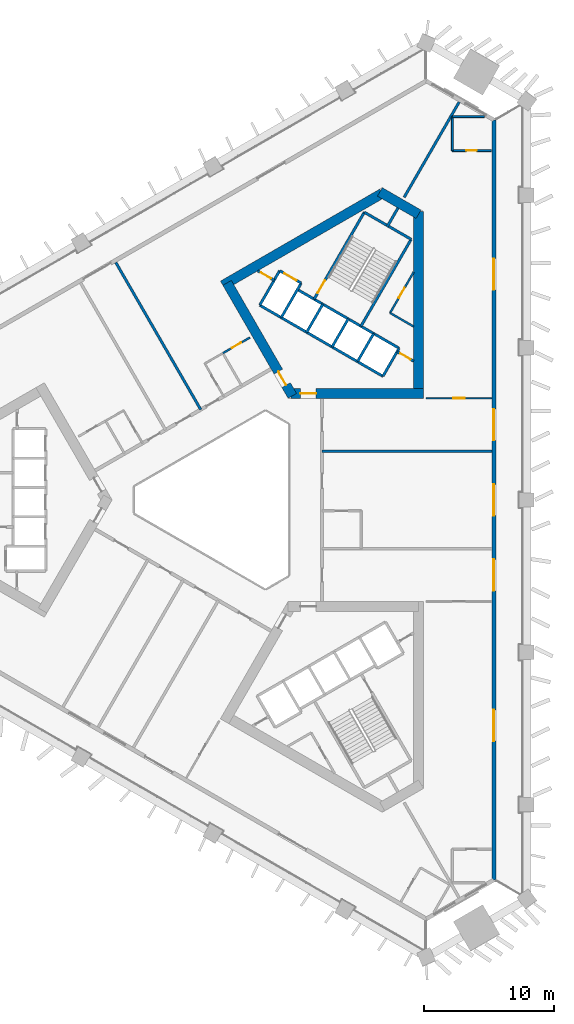
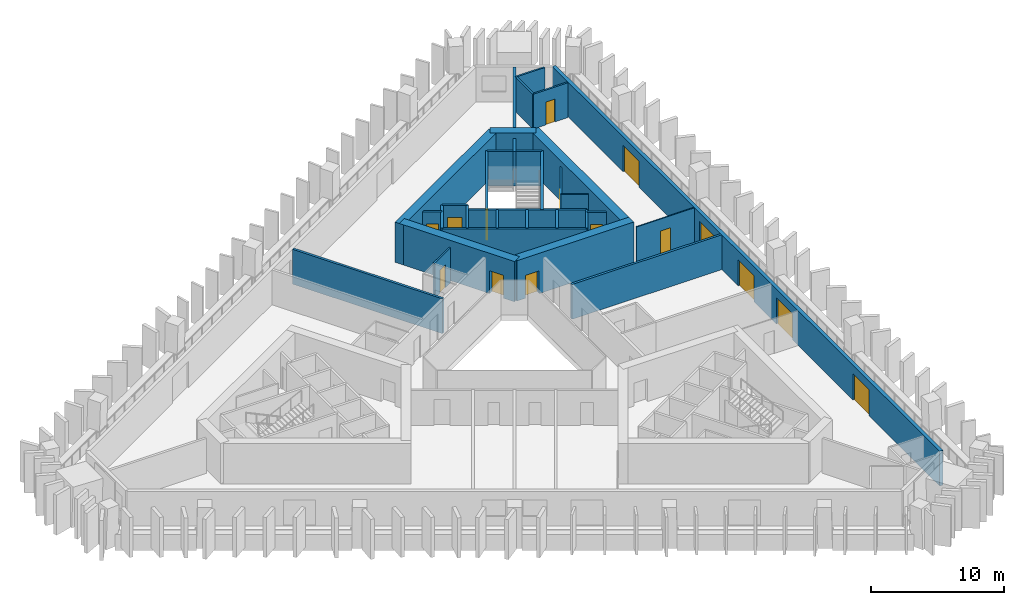
# One storey, part 6 of 11: 31 walls, 15 doors, 15 openings.
"""IFC4 building model written with IfcOpenShell, lengths in metres."""

import ifcopenshell
import ifcopenshell.guid

model = None  # the IFC model being written
_history = None  # IfcOwnerHistory: only IFC2X3 demands one
_inside = {}  # id of a spatial element -> (the spatial element, [elements in it])
_under = {}  # id of a project, library or spatial element -> (it, [spatial elements below it])
_declared = {}  # id of a project -> (the project, [libraries it declares])
_typed = {}  # id of a type object -> (the type object, [elements of that type])
_made_of = {}  # id of a material, layer set ... -> (it, [elements and type objects made of it])


def new_model(schema):
    """Start an empty IFC model of exactly this schema.

    Asked for "IFC4X3", IfcOpenShell would pick the latest addendum, in which some entities
    have other attributes; the version numbers below select the first issue.
    IFC2X3 requires an IfcOwnerHistory on every rooted entity: one is made here for all.
    """
    global model, _history
    if schema == "IFC4X3":
        model = ifcopenshell.file(schema_version=(4, 3, 0, 0))
    else:
        model = ifcopenshell.file(schema=schema)
    _inside.clear()
    _under.clear()
    _declared.clear()
    _typed.clear()
    _made_of.clear()
    _history = None
    if model.schema == "IFC2X3":
        org = make("IfcOrganization", Name="unknown")
        user = make(
            "IfcPersonAndOrganization",
            ThePerson=make("IfcPerson", FamilyName="unknown"),
            TheOrganization=org,
        )
        app = make(
            "IfcApplication",
            ApplicationDeveloper=org,
            Version="unknown",
            ApplicationFullName="unknown",
            ApplicationIdentifier="unknown",
        )
        _history = make(
            "IfcOwnerHistory",
            OwningUser=user,
            OwningApplication=app,
            ChangeAction="ADDED",
            CreationDate=0,
        )
    return model


def make(cls, **values):
    """One entity of the class cls with the attributes given. An attribute that is None is left unset."""
    return model.create_entity(
        cls, **{name: value for name, value in values.items() if value is not None}
    )


def rooted(cls, **values):
    """An entity with a GlobalId (a new one), such as an element, a storey or a relation."""
    return make(cls, GlobalId=ifcopenshell.guid.new(), OwnerHistory=_history, **values)


def si_unit(unit_type, name, prefix=None):
    """IfcSIUnit, for example si_unit("LENGTHUNIT", "METRE", prefix="MILLI")."""
    return make("IfcSIUnit", UnitType=unit_type, Prefix=prefix, Name=name)


def assignment(units):
    """IfcUnitAssignment: the units of a project."""
    return None if units is None else make("IfcUnitAssignment", Units=units)


def point(xyz):
    """IfcCartesianPoint."""
    return None if xyz is None else make("IfcCartesianPoint", Coordinates=xyz)


def direction(xyz):
    """IfcDirection."""
    return None if xyz is None else make("IfcDirection", DirectionRatios=xyz)


def frame(location, z_axis=None, x_axis=None):
    """IfcAxis2Placement3D, a coordinate frame: its origin and axes. An axis left out is left unset."""
    return make(
        "IfcAxis2Placement3D",
        Location=point(location),
        Axis=direction(z_axis),
        RefDirection=direction(x_axis),
    )


def frame_2d(location, x_axis=None):
    """IfcAxis2Placement2D, a coordinate frame in the plane: its origin and x axis."""
    return make(
        "IfcAxis2Placement2D", Location=point(location), RefDirection=direction(x_axis)
    )


def origin():
    """The frame at (0, 0, 0) with its axes left unset."""
    return frame((0.0, 0.0, 0.0))


def place(relative_to, where):
    """IfcLocalPlacement: puts the frame where relative to a parent placement (None: the world)."""
    return make(
        "IfcLocalPlacement", PlacementRelTo=relative_to, RelativePlacement=where
    )


def context(
    kind, dimensions, precision=None, world=None, true_north=None, identifier=None
):
    """IfcGeometricRepresentationContext, for example the 3D "Model" context."""
    return make(
        "IfcGeometricRepresentationContext",
        ContextIdentifier=identifier,
        ContextType=kind,
        CoordinateSpaceDimension=dimensions,
        Precision=precision,
        WorldCoordinateSystem=world,
        TrueNorth=true_north,
    )


def subcontext(parent, identifier, kind, view, scale=None):
    """IfcGeometricRepresentationSubContext, for example "Body" below "Model"."""
    return make(
        "IfcGeometricRepresentationSubContext",
        ContextIdentifier=identifier,
        ContextType=kind,
        ParentContext=parent,
        TargetScale=scale,
        TargetView=view,
    )


def project(units=None, contexts=None):
    """IfcProject with its units and contexts."""
    return rooted(
        "IfcProject",
        Name="project",
        RepresentationContexts=contexts,
        UnitsInContext=assignment(units),
    )


def spatial(cls, under=None, at=None, **own):
    """A site, building, storey or space (cls), placed at a placement, below another one or the project."""
    s = rooted(cls, ObjectPlacement=at, **own)
    if under is not None:
        _under.setdefault(under.id(), (under, []))[1].append(s)
    return s


def profile(cls, at=None, kind="AREA", **sizes):
    """A parametric profile (cls). Its sizes go by their IFC names, for example OverallWidth=200.0."""
    return make(cls, ProfileType=kind, Position=at, **sizes)


def rectangle(**sizes):
    """IfcRectangleProfileDef."""
    return profile("IfcRectangleProfileDef", **sizes)


def extrude(swept, where, along, depth):
    """IfcExtrudedAreaSolid: the profile swept, set in the frame where, extruded along a direction by depth."""
    return make(
        "IfcExtrudedAreaSolid",
        SweptArea=swept,
        Position=where,
        ExtrudedDirection=direction(along),
        Depth=depth,
    )


def shape(context_of_items, identifier, shape_type, items):
    """IfcShapeRepresentation: the items that make up one representation, for example the "Body"."""
    return make(
        "IfcShapeRepresentation",
        ContextOfItems=context_of_items,
        RepresentationIdentifier=identifier,
        RepresentationType=shape_type,
        Items=items,
    )


def material(Name=None, Category=None):
    """IfcMaterial."""
    return make("IfcMaterial", Name=Name, Category=Category)


def layer(
    of_material, thickness, ventilated=None, Name=None, Category=None, Priority=None
):
    """IfcMaterialLayer: one layer of a wall or slab, of a material (None: an air gap)."""
    return make(
        "IfcMaterialLayer",
        Material=of_material,
        LayerThickness=thickness,
        IsVentilated=ventilated,
        Name=Name,
        Category=Category,
        Priority=Priority,
    )


def layer_set(layers, Name=None):
    """IfcMaterialLayerSet."""
    return make("IfcMaterialLayerSet", MaterialLayers=layers, LayerSetName=Name)


def made_of(thing, what):
    """Note that an element or type object is made of a material, layer set ...; save() writes the relation."""
    if what is not None:
        _made_of.setdefault(what.id(), (what, []))[1].append(thing)
    return thing


def type_object(cls, material=None, **own):
    """A type object (cls), such as IfcWallType, which elements share."""
    return made_of(rooted(cls, **own), material)


def element(
    cls,
    number,
    at=None,
    inside=None,
    cuts=None,
    type_object=None,
    material=None,
    context=None,
    identifier="Body",
    shape_type=None,
    held_by="IfcProductDefinitionShape",
    body=None,
    shapes=None,
    **own,
):
    """One element of the class cls, such as IfcWall. Its Tag is "e" and its number.

    at: its placement. inside: the storey or other place that contains it. cuts: it is an
    opening in that element (IfcRelVoidsElement). A single representation is given by context,
    identifier, shape_type and body (its items); several are given by shapes. held_by: the class
    of the entity that holds the representations. save() writes the other relations.
    """
    e = rooted(cls, Tag="e%d" % number, ObjectPlacement=at, **own)
    if body is not None:
        shapes = [shape(context, identifier, shape_type, body)]
    if shapes is not None:
        e.Representation = make(held_by, Representations=shapes)
    if inside is not None:
        _inside.setdefault(inside.id(), (inside, []))[1].append(e)
    if cuts is not None:
        rooted(
            "IfcRelVoidsElement", RelatingBuildingElement=cuts, RelatedOpeningElement=e
        )
    if type_object is not None:
        _typed.setdefault(type_object.id(), (type_object, []))[1].append(e)
    return made_of(e, material)


def fill(opening, filler):
    """IfcRelFillsElement: the door or window that sits in an opening."""
    return rooted(
        "IfcRelFillsElement",
        RelatingOpeningElement=opening,
        RelatedBuildingElement=filler,
    )


def aggregate(whole, parts):
    """IfcRelAggregates: a whole, such as a stair, and the parts it consists of."""
    return rooted("IfcRelAggregates", RelatingObject=whole, RelatedObjects=parts)


def save(model, path):
    """Write the relations noted so far, then the file.

    IfcRelAggregates (storeys below a building ...), IfcRelContainedInSpatialStructure (elements
    in a storey), IfcRelDefinesByType, IfcRelAssociatesMaterial and IfcRelDeclares: one each for
    every whole, place, type object, material and project.
    """
    for whole, parts in _under.values():
        aggregate(whole, parts)
    for where, things in _inside.values():
        rooted(
            "IfcRelContainedInSpatialStructure",
            RelatedElements=things,
            RelatingStructure=where,
        )
    for kind, things in _typed.values():
        rooted("IfcRelDefinesByType", RelatedObjects=things, RelatingType=kind)
    for what, things in _made_of.values():
        rooted("IfcRelAssociatesMaterial", RelatedObjects=things, RelatingMaterial=what)
    for by, libraries in _declared.values():
        rooted("IfcRelDeclares", RelatingContext=by, RelatedDefinitions=libraries)
    model.write(path)


model = new_model("IFC4")

# Units and contexts
model_context = context("Model", 3, precision=1e-05, world=origin(), true_north=direction((0.0, 1.0)))
body_context = subcontext(model_context, "Body", "Model", "MODEL_VIEW")
ifc_project = project(units=[si_unit("LENGTHUNIT", "METRE"), si_unit("AREAUNIT", "SQUARE_METRE"), si_unit("VOLUMEUNIT", "CUBIC_METRE"), si_unit("PLANEANGLEUNIT", "RADIAN"), si_unit("MASSUNIT", "GRAM", prefix="KILO")], contexts=[model_context])

# Site, building, storey
site_placement = place(None, origin())
site = spatial("IfcSite", under=ifc_project, at=site_placement, CompositionType="ELEMENT")
building_placement = place(site_placement, origin())
building = spatial("IfcBuilding", under=site, at=building_placement, Name="Jabali Bay Hotel Tower and Convention Centre", CompositionType="ELEMENT")
storey_placement = place(building_placement, frame((0.0, 0.0, 90.60009765625)))
storey = spatial("IfcBuildingStorey", under=building, at=storey_placement, Name="L21", CompositionType="ELEMENT", Elevation=90.60009765625)

# Wall
ifc_material_1 = material(Name="Concrete C40", Category="concrete")
ifc_layer_1 = layer(ifc_material_1, 0.199951171875)
ifc_layer_set_1 = layer_set([ifc_layer_1], Name="Concrete C40")
wall_type_1 = type_object("IfcWallType", Name="Core partition wall 200", PredefinedType="PARTITIONING", material=ifc_layer_set_1)
wall_1_placement = place(storey_placement, frame((87.090087890625, 100.9404296875, 0.0), z_axis=(0.0, 0.0, 1.0), x_axis=(0.499937194881, 0.866061661301, 0.0)))
element("IfcWall", 1, at=wall_1_placement, inside=storey, type_object=wall_type_1, Name="Core wall 1.5 L21", PredefinedType="PARTITIONING", context=body_context, shape_type="SweptSolid", body=[
    extrude(rectangle(XDim=1.673095703125, YDim=0.199951171875, at=frame_2d((0.83642578125, 0.0))), origin(), (0.0, 0.0, 1.0), 3.199951171875),
])

# Wall, opening, door
wall_2_placement = place(storey_placement, frame((89.130126953125, 90.640625, 0.0), z_axis=(0.0, 0.0, 1.0), x_axis=(-0.866094119867, 0.499880961361, 0.0)))
wall_2 = element("IfcWall", 2, at=wall_2_placement, inside=storey, type_object=wall_type_1, Name="Core wall 1.11 L21", PredefinedType="PARTITIONING", context=body_context, shape_type="SweptSolid", body=[
    extrude(rectangle(XDim=1.466552734375, YDim=0.199951171875, at=frame_2d((0.7333984375, 0.0))), origin(), (0.0, 0.0, 1.0), 3.199951171875),
])
opening_1_placement = place(wall_2_placement, frame((0.283447265625, 0.0, 0.0)))
opening_1 = element("IfcOpeningElement", 3, at=opening_1_placement, cuts=wall_2, Name="Opening D501", PredefinedType="OPENING", context=body_context, shape_type="SweptSolid", body=[
    extrude(rectangle(XDim=0.89990234375, YDim=2.10009765625, at=frame_2d((0.449951171875, 1.050048828125))), frame((0.0, 0.1103515625, 0.0), z_axis=(0.0, -1.0, 0.0), x_axis=(1.0, 0.0, 0.0)), (0.0, 0.0, 1.0), 0.220947265625),
])
ifc_material_2 = material(Name="Fire-rated steel door", Category="steel")
door_type_1 = type_object("IfcDoorType", Name="Vestibule fire door 900 x 2100", OperationType="NOTDEFINED", PredefinedType="NOTDEFINED", material=ifc_material_2)
door_1_placement = place(opening_1_placement, origin())
door_1 = element("IfcDoor", 4, at=door_1_placement, inside=storey, type_object=door_type_1, Name="Vestibule fire door D501", OperationType="SINGLE_SWING_LEFT", OverallHeight=2.10009765625, OverallWidth=0.89990234375, PredefinedType="NOTDEFINED", context=body_context, shape_type="SweptSolid", body=[
    extrude(rectangle(XDim=0.89990234375, YDim=2.10009765625, at=frame_2d((0.449951171875, 1.050048828125))), frame((0.0, 0.02490234375, 0.0), z_axis=(0.0, -1.0, 0.0), x_axis=(1.0, 0.0, 0.0)), (0.0, 0.0, 1.0), 0.050048828125),
])
fill(opening_1, door_1)

wall_3_placement = place(storey_placement, frame((78.43017578125, 96.84130859375, 0.0), z_axis=(0.0, 0.0, 1.0), x_axis=(-0.866045896294, 0.499964504253, 0.0)))
wall_3 = element("IfcWall", 5, at=wall_3_placement, inside=storey, type_object=wall_type_1, Name="Core wall 1.12 L21", PredefinedType="PARTITIONING", context=body_context, shape_type="SweptSolid", body=[
    extrude(rectangle(XDim=1.455078125, YDim=0.199951171875, at=frame_2d((0.7275390625, 0.0))), origin(), (0.0, 0.0, 1.0), 3.199951171875),
])
opening_2_placement = place(wall_3_placement, frame((0.277587890625, 0.0, 0.0)))
opening_2 = element("IfcOpeningElement", 6, at=opening_2_placement, cuts=wall_3, Name="Opening D500", PredefinedType="OPENING", context=body_context, shape_type="SweptSolid", body=[
    extrude(rectangle(XDim=0.89990234375, YDim=2.10009765625, at=frame_2d((0.449951171875, 1.050048828125))), frame((0.0, 0.1103515625, 0.0), z_axis=(0.0, -1.0, 0.0), x_axis=(1.0, 0.0, 0.0)), (0.0, 0.0, 1.0), 0.220947265625),
])
door_2_placement = place(opening_2_placement, origin())
door_2 = element("IfcDoor", 7, at=door_2_placement, inside=storey, type_object=door_type_1, Name="Vestibule fire door D500", OperationType="SINGLE_SWING_LEFT", OverallHeight=2.10009765625, OverallWidth=0.89990234375, PredefinedType="NOTDEFINED", context=body_context, shape_type="SweptSolid", body=[
    extrude(rectangle(XDim=0.89990234375, YDim=2.10009765625, at=frame_2d((0.449951171875, 1.050048828125))), frame((0.0, 0.02490234375, 0.0), z_axis=(0.0, -1.0, 0.0), x_axis=(1.0, 0.0, 0.0)), (0.0, 0.0, 1.0), 0.050048828125),
])
fill(opening_2, door_2)

ifc_material_3 = material(Name="Fire-rated board partition")
ifc_layer_2 = layer(ifc_material_3, 0.14990234375)
ifc_layer_set_2 = layer_set([ifc_layer_2], Name="Fire-rated board partition")
wall_type_2 = type_object("IfcWallType", Name="Core room partition 150", PredefinedType="PARTITIONING", material=ifc_layer_set_2)
wall_4_placement = place(storey_placement, frame((87.321044921875, 94.3408203125, 0.0), z_axis=(0.0, 0.0, 1.0), x_axis=(0.499993116331, 0.866029378036, 0.0)))
wall_4 = element("IfcWall", 8, at=wall_4_placement, inside=storey, type_object=wall_type_2, Name="Core wall 1.1 L21", PredefinedType="PARTITIONING", context=body_context, shape_type="SweptSolid", body=[
    extrude(rectangle(XDim=3.61767578125, YDim=0.14990234375, at=frame_2d((1.808837890625, 0.0))), origin(), (0.0, 0.0, 1.0), 3.199951171875),
])
opening_3_placement = place(wall_4_placement, frame((1.33154296875, 0.0, 0.0)))
opening_3 = element("IfcOpeningElement", 9, at=opening_3_placement, cuts=wall_4, Name="Opening D503", PredefinedType="OPENING", context=body_context, shape_type="SweptSolid", body=[
    extrude(rectangle(XDim=0.89990234375, YDim=2.10009765625, at=frame_2d((0.449951171875, 1.050048828125))), frame((0.0, 0.08544921875, 0.0), z_axis=(0.0, -1.0, 0.0), x_axis=(1.0, 0.0, 0.0)), (0.0, 0.0, 1.0), 0.1708984375),
])
door_type_2 = type_object("IfcDoorType", Name="Core room door 900 x 2100", OperationType="NOTDEFINED", PredefinedType="NOTDEFINED", material=ifc_material_2)
door_3_placement = place(opening_3_placement, origin())
door_3 = element("IfcDoor", 10, at=door_3_placement, inside=storey, type_object=door_type_2, Name="Core room door D503", OperationType="SINGLE_SWING_LEFT", OverallHeight=2.10009765625, OverallWidth=0.89990234375, PredefinedType="NOTDEFINED", context=body_context, shape_type="SweptSolid", body=[
    extrude(rectangle(XDim=0.89990234375, YDim=2.10009765625, at=frame_2d((0.449951171875, 1.050048828125))), frame((0.0, 0.02490234375, 0.0), z_axis=(0.0, -1.0, 0.0), x_axis=(1.0, 0.0, 0.0)), (0.0, 0.0, 1.0), 0.050048828125),
])
fill(opening_3, door_3)

# Walls
wall_5_placement = place(storey_placement, frame((89.130126953125, 93.29638671875, 0.0), z_axis=(0.0, 0.0, 1.0), x_axis=(-0.866033778982, 0.499985493453, 0.0)))
element("IfcWall", 11, at=wall_5_placement, inside=storey, type_object=wall_type_2, Name="Core wall 1.15 L21", PredefinedType="PARTITIONING", context=body_context, shape_type="SweptSolid", body=[
    extrude(rectangle(XDim=2.0888671875, YDim=0.14990234375, at=frame_2d((1.04443359375, 0.0))), origin(), (0.0, 0.0, 1.0), 3.199951171875),
])
ifc_layer_3 = layer(ifc_material_1, 0.199951171875)
ifc_layer_set_3 = layer_set([ifc_layer_3], Name="Concrete C40")
wall_type_3 = type_object("IfcWallType", Name="Core stair wall 200", PredefinedType="SOLIDWALL", material=ifc_layer_set_3)
for number, where, z_axis, x_axis, name in (
    (12, (86.769775390625, 89.48583984375, 0.0), (0.0, 0.0, 1.0), (0.499961042966, 0.86604789447, 0.0), "Core wall 1.0 L21"),
    (13, (84.8212890625, 90.61083984375, 0.0), (0.0, 0.0, 1.0), (0.499961042966, 0.86604789447, 0.0), "Core wall 1.2 L21"),
):
    element("IfcWall", number, at=place(storey_placement, frame(where, z_axis=z_axis, x_axis=x_axis)), inside=storey, type_object=wall_type_3, Name=name, PredefinedType="SOLIDWALL", context=body_context, shape_type="SweptSolid", body=[
        extrude(rectangle(XDim=2.480224609375, YDim=0.199951171875, at=frame_2d((1.240234375, 0.0))), origin(), (0.0, 0.0, 1.0), 3.199951171875),
    ])
wall_6_placement = place(storey_placement, frame((85.0869140625, 93.3212890625, 0.0), z_axis=(0.0, 0.0, 1.0), x_axis=(0.500019787375, 0.866013979237, 0.0)))
element("IfcWall", 14, at=wall_6_placement, inside=storey, type_object=wall_type_3, Name="Core wall 1.3 L21", PredefinedType="SOLIDWALL", context=body_context, shape_type="SweptSolid", body=[
    extrude(rectangle(XDim=7.699951171875, YDim=0.199951171875, at=frame_2d((3.85009765625, 0.0))), origin(), (0.0, 0.0, 1.0), 3.199951171875),
])
for number, where, z_axis, x_axis, name in (
    (15, (82.872802734375, 91.73583984375, 0.0), (0.0, 0.0, 1.0), (0.499961042966, 0.86604789447, 0.0), "Core wall 1.4 L21"),
    (16, (80.924072265625, 92.86083984375, 0.0), (0.0, 0.0, 1.0), (0.499961042966, 0.86604789447, 0.0), "Core wall 1.6 L21"),
):
    element("IfcWall", number, at=place(storey_placement, frame(where, z_axis=z_axis, x_axis=x_axis)), inside=storey, type_object=wall_type_3, Name=name, PredefinedType="SOLIDWALL", context=body_context, shape_type="SweptSolid", body=[
        extrude(rectangle(XDim=2.480224609375, YDim=0.199951171875, at=frame_2d((1.240234375, 0.0))), origin(), (0.0, 0.0, 1.0), 3.199951171875),
    ])

# Wall, opening, door
wall_7_placement = place(storey_placement, frame((81.492919921875, 95.396240234375, 0.0), z_axis=(0.0, 0.0, 1.0), x_axis=(0.500006057782, 0.866021906294, 0.0)))
wall_7 = element("IfcWall", 17, at=wall_7_placement, inside=storey, type_object=wall_type_3, Name="Core wall 1.7 L21", PredefinedType="SOLIDWALL", context=body_context, shape_type="SweptSolid", body=[
    extrude(rectangle(XDim=7.7001953125, YDim=0.199951171875, at=frame_2d((3.85009765625, 0.0))), origin(), (0.0, 0.0, 1.0), 3.199951171875),
])
opening_4_placement = place(wall_7_placement, frame((0.550048828125, 0.0, 0.0)))
opening_4 = element("IfcOpeningElement", 18, at=opening_4_placement, cuts=wall_7, Name="Opening D502", PredefinedType="OPENING", context=body_context, shape_type="SweptSolid", body=[
    extrude(rectangle(XDim=1.10009765625, YDim=2.10009765625, at=frame_2d((0.550048828125, 1.050048828125))), frame((0.0, 0.1103515625, 0.0), z_axis=(0.0, -1.0, 0.0), x_axis=(1.0, 0.0, 0.0)), (0.0, 0.0, 1.0), 0.220947265625),
])
door_type_3 = type_object("IfcDoorType", Name="Stair fire door 1100 x 2100", OperationType="NOTDEFINED", PredefinedType="NOTDEFINED", material=ifc_material_2)
door_4_placement = place(opening_4_placement, origin())
door_4 = element("IfcDoor", 19, at=door_4_placement, inside=storey, type_object=door_type_3, Name="Stair fire door D502", OperationType="SINGLE_SWING_RIGHT", OverallHeight=2.10009765625, OverallWidth=1.10009765625, PredefinedType="NOTDEFINED", context=body_context, shape_type="SweptSolid", body=[
    extrude(rectangle(XDim=1.10009765625, YDim=2.10009765625, at=frame_2d((0.550048828125, 1.050048828125))), frame((0.0, 0.02490234375, 0.0), z_axis=(0.0, -1.0, 0.0), x_axis=(1.0, 0.0, 0.0)), (0.0, 0.0, 1.0), 0.050048828125),
])
fill(opening_4, door_4)

# Walls
for number, where, z_axis, x_axis, name in (
    (20, (78.9755859375, 93.98583984375, 0.0), (0.0, 0.0, 1.0), (0.499944174705, 0.866057632134, 0.0), "Core wall 1.8 L21"),
    (21, (77.330078125, 94.93603515625, 0.0), (0.0, 0.0, 1.0), (0.500038867431, 0.8660029625, 0.0), "Core wall 1.9 L21"),
):
    element("IfcWall", number, at=place(storey_placement, frame(where, z_axis=z_axis, x_axis=x_axis)), inside=storey, type_object=wall_type_3, Name=name, PredefinedType="SOLIDWALL", context=body_context, shape_type="SweptSolid", body=[
        extrude(rectangle(XDim=3.050048828125, YDim=0.199951171875, at=frame_2d((1.52490234375, 0.0))), origin(), (0.0, 0.0, 1.0), 3.199951171875),
    ])
wall_8_placement = place(storey_placement, frame((86.769775390625, 89.48583984375, 0.0), z_axis=(0.0, 0.0, 1.0), x_axis=(-0.86601811187, 0.500012629753, 0.0)))
element("IfcWall", 22, at=wall_8_placement, inside=storey, type_object=wall_type_3, Name="Core wall 1.10 L21", PredefinedType="SOLIDWALL", context=body_context, shape_type="SweptSolid", body=[
    extrude(rectangle(XDim=10.900146484375, YDim=0.199951171875, at=frame_2d((5.4501953125, 0.0))), origin(), (0.0, 0.0, 1.0), 3.199951171875),
])
wall_9_placement = place(storey_placement, frame((88.009765625, 91.6337890625, 0.0), z_axis=(0.0, 0.0, 1.0), x_axis=(-0.866024315419, 0.5000018851, 0.0)))
element("IfcWall", 23, at=wall_9_placement, inside=storey, type_object=wall_type_3, Name="Core wall 1.13 L21", PredefinedType="SOLIDWALL", context=body_context, shape_type="SweptSolid", body=[
    extrude(rectangle(XDim=9.0, YDim=0.199951171875, at=frame_2d((4.5, 0.0))), origin(), (0.0, 0.0, 1.0), 3.199951171875),
])

# Wall, opening, door
wall_10_placement = place(storey_placement, frame((80.50048828125, 96.62744140625, 0.0), z_axis=(0.0, 0.0, 1.0), x_axis=(-0.86601224135, 0.500022797313, 0.0)))
wall_10 = element("IfcWall", 24, at=wall_10_placement, inside=storey, type_object=wall_type_3, Name="Core wall 1.14 L21", PredefinedType="SOLIDWALL", context=body_context, shape_type="SweptSolid", body=[
    extrude(rectangle(XDim=1.89990234375, YDim=0.199951171875, at=frame_2d((0.949951171875, 0.0))), origin(), (0.0, 0.0, 1.0), 3.199951171875),
])
opening_5_placement = place(wall_10_placement, frame((0.39990234375, 0.0, 0.0)))
opening_5 = element("IfcOpeningElement", 25, at=opening_5_placement, cuts=wall_10, Name="Opening LD10-L21", PredefinedType="OPENING", context=body_context, shape_type="SweptSolid", body=[
    extrude(rectangle(XDim=1.10009765625, YDim=2.10009765625, at=frame_2d((0.550048828125, 1.050048828125))), frame((0.0, 0.1103515625, 0.0), z_axis=(0.0, -1.0, 0.0), x_axis=(1.0, 0.0, 0.0)), (0.0, 0.0, 1.0), 0.220947265625),
])
ifc_material_4 = material(Name="Stainless steel landing door", Category="steel")
door_type_4 = type_object("IfcDoorType", Name="Landing door 1100 x 2100", OperationType="NOTDEFINED", PredefinedType="NOTDEFINED", material=ifc_material_4)
door_5_placement = place(opening_5_placement, origin())
door_5 = element("IfcDoor", 26, at=door_5_placement, inside=storey, type_object=door_type_4, Name="Landing doors LD10-L21", OperationType="SLIDING_TO_RIGHT", OverallHeight=2.10009765625, OverallWidth=1.10009765625, PredefinedType="NOTDEFINED", context=body_context, shape_type="SweptSolid", body=[
    extrude(rectangle(XDim=1.10009765625, YDim=2.10009765625, at=frame_2d((0.550048828125, 1.050048828125))), frame((0.0, 0.02490234375, 0.0), z_axis=(0.0, -1.0, 0.0), x_axis=(1.0, 0.0, 0.0)), (0.0, 0.0, 1.0), 0.050048828125),
])
fill(opening_5, door_5)

# Wall
wall_11_placement = place(storey_placement, frame((88.93701171875, 99.989501953125, 0.0), z_axis=(0.0, 0.0, 1.0), x_axis=(-0.866004344652, 0.500036473714, 0.0)))
element("IfcWall", 27, at=wall_11_placement, inside=storey, type_object=wall_type_3, Name="Core wall 1.16 L21", PredefinedType="SOLIDWALL", context=body_context, shape_type="SweptSolid", body=[
    extrude(rectangle(XDim=4.150146484375, YDim=0.199951171875, at=frame_2d((2.0751953125, 0.0))), origin(), (0.0, 0.0, 1.0), 3.199951171875),
])

# Wall, opening, door
ifc_material_5 = material(Name="Concrete C60", Category="concrete")
ifc_layer_4 = layer(ifc_material_5, 0.75)
ifc_layer_set_4 = layer_set([ifc_layer_4], Name="Concrete C60")
wall_type_4 = type_object("IfcWallType", Name="Core wall 750", PredefinedType="SHEAR", material=ifc_layer_set_4)
wall_12_placement = place(storey_placement, frame((79.716552734375, 88.169189453125, 0.0), z_axis=(0.0, 0.0, 1.0), x_axis=(1.0, 0.0, 0.0)))
wall_12 = element("IfcWall", 28, at=wall_12_placement, inside=storey, type_object=wall_type_4, Name="Core wall 2.1 L21", PredefinedType="SHEAR", context=body_context, shape_type="SweptSolid", body=[
    extrude(rectangle(XDim=10.163330078125, YDim=0.75, at=frame_2d((5.08154296875, 0.0))), origin(), (0.0, 0.0, 1.0), 3.699951171875),
])
opening_6_placement = place(wall_12_placement, frame((0.7333984375, 0.0, 0.0)))
opening_6 = element("IfcOpeningElement", 29, at=opening_6_placement, cuts=wall_12, Name="Opening D498", PredefinedType="OPENING", context=body_context, shape_type="SweptSolid", body=[
    extrude(rectangle(XDim=1.199951171875, YDim=2.10009765625, at=frame_2d((0.60009765625, 1.050048828125))), frame((0.0, 0.385498046875, 0.0), z_axis=(0.0, -1.0, 0.0), x_axis=(1.0, 0.0, 0.0)), (0.0, 0.0, 1.0), 0.77099609375),
])
door_type_5 = type_object("IfcDoorType", Name="Corridor end fire door 1200 x 2100", OperationType="NOTDEFINED", PredefinedType="NOTDEFINED", material=ifc_material_2)
door_6_placement = place(opening_6_placement, origin())
door_6 = element("IfcDoor", 30, at=door_6_placement, inside=storey, type_object=door_type_5, Name="Corridor end fire door D498", OperationType="SINGLE_SWING_RIGHT", OverallHeight=2.10009765625, OverallWidth=1.199951171875, PredefinedType="NOTDEFINED", context=body_context, shape_type="SweptSolid", body=[
    extrude(rectangle(XDim=1.199951171875, YDim=2.10009765625, at=frame_2d((0.60009765625, 1.050048828125))), frame((0.0, 0.02490234375, 0.0), z_axis=(0.0, -1.0, 0.0), x_axis=(1.0, 0.0, 0.0)), (0.0, 0.0, 1.0), 0.050048828125),
])
fill(opening_6, door_6)

# Walls
wall_13_placement = place(storey_placement, frame((89.5048828125, 88.169189453125, 0.0), z_axis=(0.0, 0.0, 1.0), x_axis=(0.0, 1.0, 0.0)))
element("IfcWall", 31, at=wall_13_placement, inside=storey, type_object=wall_type_4, Name="Core wall 2.2 L21", PredefinedType="SHEAR", context=body_context, shape_type="SweptSolid", body=[
    extrude(rectangle(XDim=13.95849609375, YDim=0.75, at=frame_2d((6.979248046875, 0.0))), origin(), (0.0, 0.0, 1.0), 3.699951171875),
])
wall_14_placement = place(storey_placement, frame((89.5048828125, 101.9111328125, 0.0), z_axis=(0.0, 0.0, 1.0), x_axis=(-0.866017201164, 0.500014207086, 0.0)))
element("IfcWall", 32, at=wall_14_placement, inside=storey, type_object=wall_type_4, Name="Core wall 2.3 L21", PredefinedType="SHEAR", context=body_context, shape_type="SweptSolid", body=[
    extrude(rectangle(XDim=3.4287109375, YDim=0.75, at=frame_2d((1.71435546875, 0.0))), origin(), (0.0, 0.0, 1.0), 3.699951171875),
])
wall_15_placement = place(storey_placement, frame((86.72314453125, 103.517333984375, 0.0), z_axis=(0.0, 0.0, 1.0), x_axis=(-0.866020851292, -0.500007885066, 0.0)))
element("IfcWall", 33, at=wall_15_placement, inside=storey, type_object=wall_type_4, Name="Core wall 2.4 L21", PredefinedType="SHEAR", context=body_context, shape_type="SweptSolid", body=[
    extrude(rectangle(XDim=14.116943359375, YDim=0.75, at=frame_2d((7.05859375, 0.0))), origin(), (0.0, 0.0, 1.0), 3.699951171875),
])

# Wall, opening, door
wall_16_placement = place(storey_placement, frame((74.822265625, 96.646240234375, 0.0), z_axis=(0.0, 0.0, 1.0), x_axis=(0.499997052475, -0.866027105532, 0.0)))
wall_16 = element("IfcWall", 34, at=wall_16_placement, inside=storey, type_object=wall_type_4, Name="Core wall 2.5 L21", PredefinedType="SHEAR", context=body_context, shape_type="SweptSolid", body=[
    extrude(rectangle(XDim=10.0048828125, YDim=0.75, at=frame_2d((5.00244140625, 0.0))), origin(), (0.0, 0.0, 1.0), 3.699951171875),
])
opening_7_placement = place(wall_16_placement, frame((7.85498046875, 0.0, 0.0)))
opening_7 = element("IfcOpeningElement", 35, at=opening_7_placement, cuts=wall_16, Name="Opening D499", PredefinedType="OPENING", context=body_context, shape_type="SweptSolid", body=[
    extrude(rectangle(XDim=1.199951171875, YDim=2.10009765625, at=frame_2d((0.60009765625, 1.050048828125))), frame((0.0, 0.385498046875, 0.0), z_axis=(0.0, -1.0, 0.0), x_axis=(1.0, 0.0, 0.0)), (0.0, 0.0, 1.0), 0.77099609375),
])
door_7_placement = place(opening_7_placement, origin())
door_7 = element("IfcDoor", 36, at=door_7_placement, inside=storey, type_object=door_type_5, Name="Corridor end fire door D499", OperationType="SINGLE_SWING_LEFT", OverallHeight=2.10009765625, OverallWidth=1.199951171875, PredefinedType="NOTDEFINED", context=body_context, shape_type="SweptSolid", body=[
    extrude(rectangle(XDim=1.199951171875, YDim=2.10009765625, at=frame_2d((0.60009765625, 1.050048828125))), frame((0.0, 0.02490234375, 0.0), z_axis=(0.0, -1.0, 0.0), x_axis=(1.0, 0.0, 0.0)), (0.0, 0.0, 1.0), 0.050048828125),
])
fill(opening_7, door_7)

# Wall, openings, doors
ifc_layer_5 = layer(ifc_material_1, 0.300048828125)
ifc_layer_set_5 = layer_set([ifc_layer_5], Name="Concrete C40")
wall_type_5 = type_object("IfcWallType", Name="External wall 300", PredefinedType="SOLIDWALL", material=ifc_layer_set_5)
wall_17_placement = place(storey_placement, frame((95.276611328125, 109.153564453125, 0.0), z_axis=(0.0, 0.0, 1.0), x_axis=(0.0, -1.0, 0.0)))
wall_17 = element("IfcWall", 37, at=wall_17_placement, inside=storey, type_object=wall_type_5, Name="External wall east face L21", PredefinedType="SOLIDWALL", context=body_context, shape_type="SweptSolid", body=[
    extrude(rectangle(XDim=58.30712890625, YDim=0.300048828125, at=frame_2d((29.153564453125, 0.0))), origin(), (0.0, 0.0, 1.0), 3.199951171875),
])
opening_8_placement = place(wall_17_placement, frame((27.95361328125, 0.0, 0.0)))
opening_8 = element("IfcOpeningElement", 38, at=opening_8_placement, cuts=wall_17, Name="Opening SD1", PredefinedType="OPENING", context=body_context, shape_type="SweptSolid", body=[
    extrude(rectangle(XDim=2.39990234375, YDim=2.39990234375, at=frame_2d((1.199951171875, 1.199951171875))), frame((0.0, 0.16064453125, 0.0), z_axis=(0.0, -1.0, 0.0), x_axis=(1.0, 0.0, 0.0)), (0.0, 0.0, 1.0), 0.321044921875),
])
opening_9_placement = place(wall_17_placement, frame((33.721435546875, 0.0, 0.0)))
opening_9 = element("IfcOpeningElement", 39, at=opening_9_placement, cuts=wall_17, Name="Opening SD1", PredefinedType="OPENING", context=body_context, shape_type="SweptSolid", body=[
    extrude(rectangle(XDim=2.39990234375, YDim=2.39990234375, at=frame_2d((1.199951171875, 1.199951171875))), frame((0.0, 0.16064453125, 0.0), z_axis=(0.0, -1.0, 0.0), x_axis=(1.0, 0.0, 0.0)), (0.0, 0.0, 1.0), 0.321044921875),
])
opening_10_placement = place(wall_17_placement, frame((45.247314453125, 0.0, 0.0)))
opening_10 = element("IfcOpeningElement", 40, at=opening_10_placement, cuts=wall_17, Name="Opening SD1", PredefinedType="OPENING", context=body_context, shape_type="SweptSolid", body=[
    extrude(rectangle(XDim=2.39990234375, YDim=2.39990234375, at=frame_2d((1.199951171875, 1.199951171875))), frame((0.0, 0.16064453125, 0.0), z_axis=(0.0, -1.0, 0.0), x_axis=(1.0, 0.0, 0.0)), (0.0, 0.0, 1.0), 0.321044921875),
])
opening_11_placement = place(wall_17_placement, frame((22.18603515625, 0.0, 0.0)))
opening_11 = element("IfcOpeningElement", 41, at=opening_11_placement, cuts=wall_17, Name="Opening SD1", PredefinedType="OPENING", context=body_context, shape_type="SweptSolid", body=[
    extrude(rectangle(XDim=2.39990234375, YDim=2.39990234375, at=frame_2d((1.199951171875, 1.199951171875))), frame((0.0, 0.16064453125, 0.0), z_axis=(0.0, -1.0, 0.0), x_axis=(1.0, 0.0, 0.0)), (0.0, 0.0, 1.0), 0.321044921875),
])
opening_12_placement = place(wall_17_placement, frame((10.650390625, 0.0, 0.0)))
opening_12 = element("IfcOpeningElement", 42, at=opening_12_placement, cuts=wall_17, Name="Opening SD1", PredefinedType="OPENING", context=body_context, shape_type="SweptSolid", body=[
    extrude(rectangle(XDim=2.39990234375, YDim=2.39990234375, at=frame_2d((1.199951171875, 1.199951171875))), frame((0.0, 0.16064453125, 0.0), z_axis=(0.0, -1.0, 0.0), x_axis=(1.0, 0.0, 0.0)), (0.0, 0.0, 1.0), 0.321044921875),
])
ifc_material_6 = material(Name="Glass", Category="glass")
door_type_6 = type_object("IfcDoorType", Name="Loggia sliding door 2400 x 2400", OperationType="NOTDEFINED", PredefinedType="NOTDEFINED", material=ifc_material_6)
door_8_placement = place(opening_8_placement, origin())
door_8 = element("IfcDoor", 43, at=door_8_placement, inside=storey, type_object=door_type_6, Name="Loggia sliding door 2102", OperationType="SLIDING_TO_LEFT", OverallHeight=2.39990234375, OverallWidth=2.39990234375, PredefinedType="NOTDEFINED", context=body_context, shape_type="SweptSolid", body=[
    extrude(rectangle(XDim=2.39990234375, YDim=2.39990234375, at=frame_2d((1.199951171875, 1.199951171875))), frame((0.0, 0.02490234375, 0.0), z_axis=(0.0, -1.0, 0.0), x_axis=(1.0, 0.0, 0.0)), (0.0, 0.0, 1.0), 0.050048828125),
])
fill(opening_8, door_8)
door_9_placement = place(opening_9_placement, origin())
door_9 = element("IfcDoor", 44, at=door_9_placement, inside=storey, type_object=door_type_6, Name="Loggia sliding door 2101", OperationType="SLIDING_TO_RIGHT", OverallHeight=2.39990234375, OverallWidth=2.39990234375, PredefinedType="NOTDEFINED", context=body_context, shape_type="SweptSolid", body=[
    extrude(rectangle(XDim=2.39990234375, YDim=2.39990234375, at=frame_2d((1.199951171875, 1.199951171875))), frame((0.0, 0.02490234375, 0.0), z_axis=(0.0, -1.0, 0.0), x_axis=(1.0, 0.0, 0.0)), (0.0, 0.0, 1.0), 0.050048828125),
])
fill(opening_9, door_9)
door_10_placement = place(opening_10_placement, origin())
door_10 = element("IfcDoor", 45, at=door_10_placement, inside=storey, type_object=door_type_6, Name="Loggia sliding door 2101", OperationType="SLIDING_TO_LEFT", OverallHeight=2.39990234375, OverallWidth=2.39990234375, PredefinedType="NOTDEFINED", context=body_context, shape_type="SweptSolid", body=[
    extrude(rectangle(XDim=2.39990234375, YDim=2.39990234375, at=frame_2d((1.199951171875, 1.199951171875))), frame((0.0, 0.02490234375, 0.0), z_axis=(0.0, -1.0, 0.0), x_axis=(1.0, 0.0, 0.0)), (0.0, 0.0, 1.0), 0.050048828125),
])
fill(opening_10, door_10)
door_11_placement = place(opening_11_placement, origin())
door_11 = element("IfcDoor", 46, at=door_11_placement, inside=storey, type_object=door_type_6, Name="Loggia sliding door 2103", OperationType="SLIDING_TO_RIGHT", OverallHeight=2.39990234375, OverallWidth=2.39990234375, PredefinedType="NOTDEFINED", context=body_context, shape_type="SweptSolid", body=[
    extrude(rectangle(XDim=2.39990234375, YDim=2.39990234375, at=frame_2d((1.199951171875, 1.199951171875))), frame((0.0, 0.02490234375, 0.0), z_axis=(0.0, -1.0, 0.0), x_axis=(1.0, 0.0, 0.0)), (0.0, 0.0, 1.0), 0.050048828125),
])
fill(opening_11, door_11)
door_12_placement = place(opening_12_placement, origin())
door_12 = element("IfcDoor", 47, at=door_12_placement, inside=storey, type_object=door_type_6, Name="Loggia sliding door 2103", OperationType="SLIDING_TO_LEFT", OverallHeight=2.39990234375, OverallWidth=2.39990234375, PredefinedType="NOTDEFINED", context=body_context, shape_type="SweptSolid", body=[
    extrude(rectangle(XDim=2.39990234375, YDim=2.39990234375, at=frame_2d((1.199951171875, 1.199951171875))), frame((0.0, 0.02490234375, 0.0), z_axis=(0.0, -1.0, 0.0), x_axis=(1.0, 0.0, 0.0)), (0.0, 0.0, 1.0), 0.050048828125),
])
fill(opening_12, door_12)

# Wall, opening, door
ifc_material_7 = material(Name="Plasterboard on steel stud", Category="steel")
ifc_layer_6 = layer(ifc_material_7, 0.10009765625)
ifc_layer_set_6 = layer_set([ifc_layer_6], Name="Plasterboard on steel stud")
wall_type_6 = type_object("IfcWallType", Name="Partition 100 unit", PredefinedType="PARTITIONING", material=ifc_layer_set_6)
wall_18_placement = place(storey_placement, frame((95.12744140625, 87.794189453125, 0.0), z_axis=(0.0, 0.0, 1.0), x_axis=(-1.0, 0.0, 0.0)))
wall_18 = element("IfcWall", 48, at=wall_18_placement, inside=storey, type_object=wall_type_6, Name="Partition P02 L21 011", PredefinedType="PARTITIONING", context=body_context, shape_type="SweptSolid", body=[
    extrude(rectangle(XDim=5.04833984375, YDim=0.10009765625, at=frame_2d((2.524169921875, 0.0))), origin(), (0.0, 0.0, 1.0), 3.199951171875),
])
opening_13_placement = place(wall_18_placement, frame((2.073974609375, 0.0, 0.0)))
opening_13 = element("IfcOpeningElement", 49, at=opening_13_placement, cuts=wall_18, Name="Opening 2107", PredefinedType="OPENING", context=body_context, shape_type="SweptSolid", body=[
    extrude(rectangle(XDim=0.89990234375, YDim=2.10009765625, at=frame_2d((0.449951171875, 1.050048828125))), frame((0.0, 0.060546875, 0.0), z_axis=(0.0, -1.0, 0.0), x_axis=(1.0, 0.0, 0.0)), (0.0, 0.0, 1.0), 0.12109375),
])
ifc_material_8 = material(Name="Timber", Category="wood")
door_type_7 = type_object("IfcDoorType", Name="Internal door 900 x 2100", OperationType="NOTDEFINED", PredefinedType="NOTDEFINED", material=ifc_material_8)
door_13_placement = place(opening_13_placement, origin())
door_13 = element("IfcDoor", 50, at=door_13_placement, inside=storey, type_object=door_type_7, Name="Door 2107", OperationType="SINGLE_SWING_LEFT", OverallHeight=2.10009765625, OverallWidth=0.89990234375, PredefinedType="NOTDEFINED", context=body_context, shape_type="SweptSolid", body=[
    extrude(rectangle(XDim=0.89990234375, YDim=2.10009765625, at=frame_2d((0.449951171875, 1.050048828125))), frame((0.0, 0.02490234375, 0.0), z_axis=(0.0, -1.0, 0.0), x_axis=(1.0, 0.0, 0.0)), (0.0, 0.0, 1.0), 0.050048828125),
])
fill(opening_13, door_13)

ifc_layer_7 = layer(ifc_material_7, 0.14990234375)
ifc_layer_set_7 = layer_set([ifc_layer_7], Name="Plasterboard on steel stud")
wall_type_7 = type_object("IfcWallType", Name="Partition 150 wet", PredefinedType="PARTITIONING", material=ifc_layer_set_7)
wall_19_placement = place(storey_placement, frame((95.086669921875, 106.794189453125, 0.0), z_axis=(0.0, 0.0, 1.0), x_axis=(-1.0, 0.0, 0.0)))
wall_19 = element("IfcWall", 51, at=wall_19_placement, inside=storey, type_object=wall_type_7, Name="Partition P03 L21 012", PredefinedType="PARTITIONING", context=body_context, shape_type="SweptSolid", body=[
    extrude(rectangle(XDim=2.985107421875, YDim=0.14990234375, at=frame_2d((1.49267578125, 0.0))), origin(), (0.0, 0.0, 1.0), 3.199951171875),
])
opening_14_placement = place(wall_19_placement, frame((1.135009765625, 0.0, 0.0)))
opening_14 = element("IfcOpeningElement", 52, at=opening_14_placement, cuts=wall_19, Name="Opening 2108", PredefinedType="OPENING", context=body_context, shape_type="SweptSolid", body=[
    extrude(rectangle(XDim=0.800048828125, YDim=2.10009765625, at=frame_2d((0.39990234375, 1.050048828125))), frame((0.0, 0.08544921875, 0.0), z_axis=(0.0, -1.0, 0.0), x_axis=(1.0, 0.0, 0.0)), (0.0, 0.0, 1.0), 0.1708984375),
])
door_type_8 = type_object("IfcDoorType", Name="En-suite door 800 x 2100", OperationType="NOTDEFINED", PredefinedType="NOTDEFINED", material=ifc_material_8)
door_14_placement = place(opening_14_placement, origin())
door_14 = element("IfcDoor", 53, at=door_14_placement, inside=storey, type_object=door_type_8, Name="Door 2108", OperationType="SINGLE_SWING_RIGHT", OverallHeight=2.10009765625, OverallWidth=0.800048828125, PredefinedType="NOTDEFINED", context=body_context, shape_type="SweptSolid", body=[
    extrude(rectangle(XDim=0.800048828125, YDim=2.10009765625, at=frame_2d((0.39990234375, 1.050048828125))), frame((0.0, 0.02490234375, 0.0), z_axis=(0.0, -1.0, 0.0), x_axis=(1.0, 0.0, 0.0)), (0.0, 0.0, 1.0), 0.050048828125),
])
fill(opening_14, door_14)

# Walls
wall_20_placement = place(storey_placement, frame((92.1015625, 106.794189453125, 0.0), z_axis=(0.0, 0.0, 1.0), x_axis=(0.0, 1.0, 0.0)))
element("IfcWall", 54, at=wall_20_placement, inside=storey, type_object=wall_type_7, Name="Partition P03 L21 013", PredefinedType="PARTITIONING", context=body_context, shape_type="SweptSolid", body=[
    extrude(rectangle(XDim=2.60009765625, YDim=0.14990234375, at=frame_2d((1.300048828125, 0.0))), origin(), (0.0, 0.0, 1.0), 3.199951171875),
])
wall_21_placement = place(storey_placement, frame((92.1015625, 109.394287109375, 0.0), z_axis=(0.0, 0.0, 1.0), x_axis=(1.0, 0.0, 0.0)))
element("IfcWall", 55, at=wall_21_placement, inside=storey, type_object=wall_type_7, Name="Partition P03 L21 014", PredefinedType="PARTITIONING", context=body_context, shape_type="SweptSolid", body=[
    extrude(rectangle(XDim=2.46044921875, YDim=0.14990234375, at=frame_2d((1.230224609375, 0.0))), origin(), (0.0, 0.0, 1.0), 3.199951171875),
])

# Wall, opening, door
wall_22_placement = place(storey_placement, frame((74.498291015625, 91.25732421875, 0.0), z_axis=(0.0, 0.0, 1.0), x_axis=(0.866038271014, 0.499977712642, 0.0)))
wall_22 = element("IfcWall", 56, at=wall_22_placement, inside=storey, type_object=wall_type_7, Name="Partition P03 L21 016", PredefinedType="PARTITIONING", context=body_context, shape_type="SweptSolid", body=[
    extrude(rectangle(XDim=2.40087890625, YDim=0.14990234375, at=frame_2d((1.200439453125, 0.0))), origin(), (0.0, 0.0, 1.0), 3.199951171875),
])
opening_15_placement = place(wall_22_placement, frame((0.801025390625, 0.0, 0.0)))
opening_15 = element("IfcOpeningElement", 57, at=opening_15_placement, cuts=wall_22, Name="Opening 2109", PredefinedType="OPENING", context=body_context, shape_type="SweptSolid", body=[
    extrude(rectangle(XDim=0.800048828125, YDim=2.10009765625, at=frame_2d((0.39990234375, 1.050048828125))), frame((0.0, 0.08544921875, 0.0), z_axis=(0.0, -1.0, 0.0), x_axis=(1.0, 0.0, 0.0)), (0.0, 0.0, 1.0), 0.1708984375),
])
door_15_placement = place(opening_15_placement, origin())
door_15 = element("IfcDoor", 58, at=door_15_placement, inside=storey, type_object=door_type_8, Name="Door 2109", OperationType="SINGLE_SWING_LEFT", OverallHeight=2.10009765625, OverallWidth=0.800048828125, PredefinedType="NOTDEFINED", context=body_context, shape_type="SweptSolid", body=[
    extrude(rectangle(XDim=0.800048828125, YDim=2.10009765625, at=frame_2d((0.39990234375, 1.050048828125))), frame((0.0, 0.02490234375, 0.0), z_axis=(0.0, -1.0, 0.0), x_axis=(1.0, 0.0, 0.0)), (0.0, 0.0, 1.0), 0.050048828125),
])
fill(opening_15, door_15)

# Walls
ifc_layer_8 = layer(ifc_material_7, 0.199951171875)
ifc_layer_set_8 = layer_set([ifc_layer_8], Name="Plasterboard on steel stud")
wall_type_8 = type_object("IfcWallType", Name="Partition 200 party", PredefinedType="PARTITIONING", material=ifc_layer_set_8)
wall_23_placement = place(storey_placement, frame((95.12744140625, 83.7412109375, 0.0), z_axis=(0.0, 0.0, 1.0), x_axis=(-1.0, 0.0, 0.0)))
element("IfcWall", 59, at=wall_23_placement, inside=storey, type_object=wall_type_8, Name="Partition P01 L21 010", PredefinedType="PARTITIONING", context=body_context, shape_type="SweptSolid", body=[
    extrude(rectangle(XDim=13.02734375, YDim=0.199951171875, at=frame_2d((6.513671875, 0.0))), origin(), (0.0, 0.0, 1.0), 3.199951171875),
])
wall_24_placement = place(storey_placement, frame((92.619384765625, 110.515625, 0.0), z_axis=(0.0, 0.0, 1.0), x_axis=(-0.500002227119, -0.866024117953, 0.0)))
element("IfcWall", 60, at=wall_24_placement, inside=storey, type_object=wall_type_8, Name="Partition P01 L21 015", PredefinedType="PARTITIONING", context=body_context, shape_type="SweptSolid", body=[
    extrude(rectangle(XDim=8.43505859375, YDim=0.199951171875, at=frame_2d((4.217529296875, 0.0))), origin(), (0.0, 0.0, 1.0), 3.199951171875),
])
wall_25_placement = place(storey_placement, frame((66.2861328125, 98.21044921875, 0.0), z_axis=(0.0, 0.0, 1.0), x_axis=(0.50000687801, -0.866021432727, 0.0)))
element("IfcWall", 61, at=wall_25_placement, inside=storey, type_object=wall_type_8, Name="Partition P01 L21 019", PredefinedType="PARTITIONING", context=body_context, shape_type="SweptSolid", body=[
    extrude(rectangle(XDim=13.027587890625, YDim=0.199951171875, at=frame_2d((6.513671875, 0.0))), origin(), (0.0, 0.0, 1.0), 3.199951171875),
])

save(model, "model.ifc")
